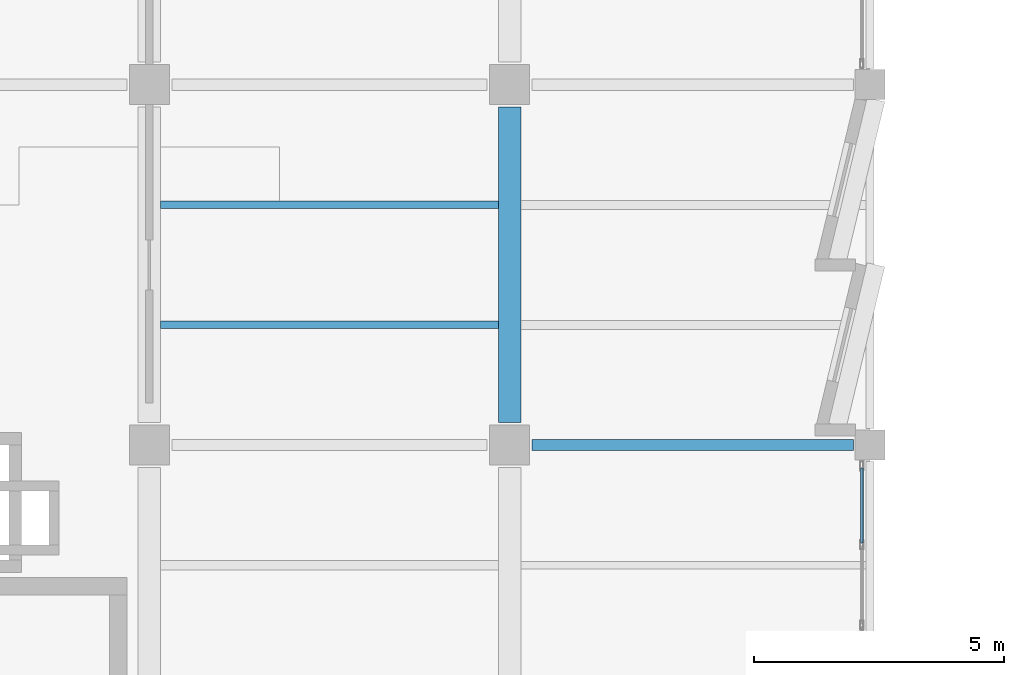
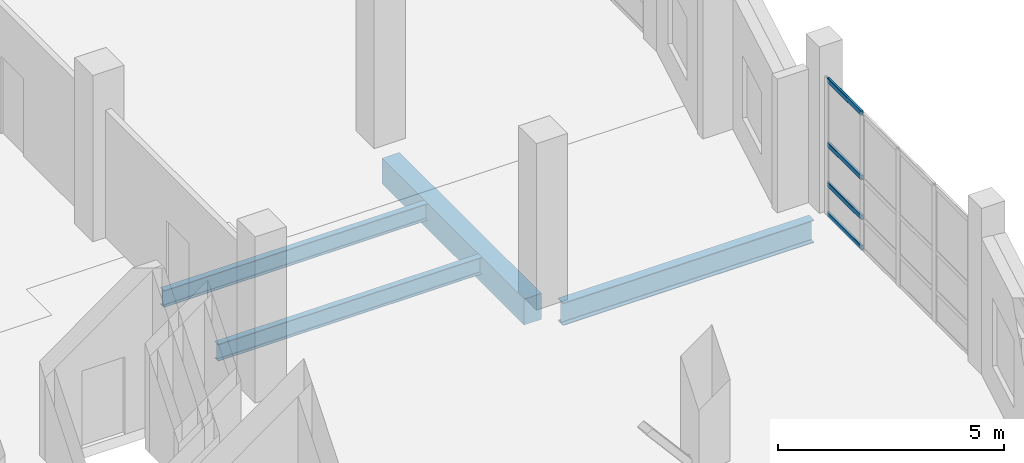
# One storey, part 33 of 123: 4 beams, 4 members, 1 element without a shape of its own.
"""IFC4 building model written with IfcOpenShell, lengths in metres."""

from ifc_helpers import new_model, si_unit, direction, frame, origin, origin_2d, place, context, subcontext, project, spatial, rectangle, hollow_rectangle, i_section, extrude, material, material_profile, profile_set, type_object, element, aggregate, save


model = new_model("IFC4")

# Units and contexts
model_context = context("Model", 3, precision=1e-05, world=origin(), true_north=direction((0.0, 1.0)))
body_context = subcontext(model_context, "Body", "Model", "MODEL_VIEW")
ifc_project = project(units=[si_unit("LENGTHUNIT", "METRE"), si_unit("AREAUNIT", "SQUARE_METRE"), si_unit("VOLUMEUNIT", "CUBIC_METRE"), si_unit("PLANEANGLEUNIT", "RADIAN"), si_unit("MASSUNIT", "GRAM", prefix="KILO")], contexts=[model_context])

# Site, building, storey
site_placement = place(None, origin())
site = spatial("IfcSite", under=ifc_project, at=site_placement, CompositionType="ELEMENT")
building_placement = place(site_placement, origin())
building = spatial("IfcBuilding", under=site, at=building_placement, Name="Kalmorath City Hall", CompositionType="ELEMENT")
storey_placement = place(building_placement, frame((0.0, 0.0, 10.199951171875)))
storey = spatial("IfcBuildingStorey", under=building, at=storey_placement, Name="L02", CompositionType="ELEMENT", Elevation=10.199951171875)

# Beam
ifc_material_1 = material(Name="Concrete C40/50", Category="concrete")
ifc_material_profile_1 = material_profile(ifc_material_1, rectangle(XDim=0.449951171875, YDim=0.699951171875, at=origin_2d()), Name="RC-BM-450X700")
ifc_profile_set_1 = profile_set([ifc_material_profile_1], Name="Concrete C40/50")
beam_type_1 = type_object("IfcBeamType", Name="Concrete floor beam 450x700", PredefinedType="BEAM", material=ifc_profile_set_1)
beam_1_placement = place(storey_placement, frame((21.60009765625, 58.050048828125, -0.634033203125), z_axis=(0.0, 1.0, 0.0), x_axis=(-1.0, 0.0, 0.0)))
element("IfcBeam", 1, at=beam_1_placement, inside=storey, type_object=beam_type_1, Name="L02 girder CB4 Y4/9-10", PredefinedType="BEAM", context=body_context, shape_type="SweptSolid", body=[
    extrude(rectangle(XDim=0.449951171875, YDim=0.699951171875, at=origin_2d()), origin(), (0.0, 0.0, 1.0), 6.300048828125),
])

# Curtain wall, members
ifc_material_2 = material(Name="Anodised aluminium and laminated glass", Category="aluminium")
curtain_wall_type = type_object("IfcCurtainWallType", Name="Unitised hurricane curtain wall 6420x3696 M1450", PredefinedType="NOTDEFINED", material=ifc_material_2)
curtain_wall_placement = place(storey_placement, origin())
curtain_wall = element("IfcCurtainWall", 2, at=curtain_wall_placement, inside=storey, type_object=curtain_wall_type, Name="L02 curtain wall CW-64X37M14 #141", PredefinedType="NOTDEFINED")
ifc_material_3 = material(Name="Anodised aluminium framing", Category="aluminium")
ifc_material_profile_2 = material_profile(ifc_material_3, hollow_rectangle(XDim=0.06005859375, YDim=0.1298828125, WallThickness=0.00341796875, InnerFilletRadius=0.00341796875, OuterFilletRadius=0.007080078125, at=origin_2d()), Name="ALU-TRN-130X60X3.5")
ifc_profile_set_2 = profile_set([ifc_material_profile_2], Name="Anodised aluminium framing")
member_type = type_object("IfcMemberType", Name="Curtain-wall courtyard transom 130x60", PredefinedType="USERDEFINED", material=ifc_profile_set_2)
member_1_placement = place(storey_placement, frame((28.639892578125, 57.14501953125, 0.030029296875), z_axis=(0.0, -1.0, 0.0), x_axis=(1.0, 0.0, 0.0)))
member_1 = element("IfcMember", 3, at=member_1_placement, type_object=member_type, Name="CW-64X37M14 transom 1.1", ObjectType="TRANSOM", PredefinedType="USERDEFINED", context=body_context, shape_type="SweptSolid", body=[
    extrude(hollow_rectangle(XDim=0.06005859375, YDim=0.1298828125, WallThickness=0.00341796875, InnerFilletRadius=0.00341796875, OuterFilletRadius=0.007080078125, at=origin_2d()), origin(), (0.0, 0.0, 1.0), 1.507568359375),
])
member_2_placement = place(storey_placement, frame((28.639892578125, 57.14501953125, 0.85009765625), z_axis=(0.0, -1.0, 0.0), x_axis=(1.0, 0.0, 0.0)))
member_2 = element("IfcMember", 4, at=member_2_placement, type_object=member_type, Name="CW-64X37M14 transom 1.2", ObjectType="TRANSOM", PredefinedType="USERDEFINED", context=body_context, shape_type="SweptSolid", body=[
    extrude(hollow_rectangle(XDim=0.06005859375, YDim=0.1298828125, WallThickness=0.00341796875, InnerFilletRadius=0.00341796875, OuterFilletRadius=0.007080078125, at=origin_2d()), origin(), (0.0, 0.0, 1.0), 1.507568359375),
])
member_3_placement = place(storey_placement, frame((28.639892578125, 57.14501953125, 1.922119140625), z_axis=(0.0, -1.0, 0.0), x_axis=(1.0, 0.0, 0.0)))
member_3 = element("IfcMember", 5, at=member_3_placement, type_object=member_type, Name="CW-64X37M14 transom 1.3", ObjectType="TRANSOM", PredefinedType="USERDEFINED", context=body_context, shape_type="SweptSolid", body=[
    extrude(hollow_rectangle(XDim=0.06005859375, YDim=0.1298828125, WallThickness=0.00341796875, InnerFilletRadius=0.00341796875, OuterFilletRadius=0.007080078125, at=origin_2d()), origin(), (0.0, 0.0, 1.0), 1.507568359375),
])
member_4_placement = place(storey_placement, frame((28.639892578125, 57.14501953125, 3.666015625), z_axis=(0.0, -1.0, 0.0), x_axis=(1.0, 0.0, 0.0)))
member_4 = element("IfcMember", 6, at=member_4_placement, type_object=member_type, Name="CW-64X37M14 transom 1.4", ObjectType="TRANSOM", PredefinedType="USERDEFINED", context=body_context, shape_type="SweptSolid", body=[
    extrude(hollow_rectangle(XDim=0.06005859375, YDim=0.1298828125, WallThickness=0.00341796875, InnerFilletRadius=0.00341796875, OuterFilletRadius=0.007080078125, at=origin_2d()), origin(), (0.0, 0.0, 1.0), 1.507568359375),
])
aggregate(curtain_wall, [member_1, member_2, member_3, member_4])

# Beams
ifc_material_4 = material(Name="Steel ASTM A992 Grade 50", Category="steel")
ifc_material_profile_3 = material_profile(ifc_material_4, i_section(OverallWidth=0.153076171875, OverallDepth=0.455078125, WebThickness=0.008056640625, FlangeThickness=0.01318359375, FilletRadius=0.013916015625, at=origin_2d()), Name="W18X40")
ifc_profile_set_3 = profile_set([ifc_material_profile_3], Name="Steel ASTM A992 Grade 50")
beam_type_2 = type_object("IfcBeamType", Name="Steel composite joist W18X40", PredefinedType="JOIST", material=ifc_profile_set_3)
for number, where, z_axis, x_axis, name in (
    (7, (14.625, 60.0, -0.511474609375), (1.0, 0.0, 0.0), (0.0, 1.0, 0.0), "L02 joist SJ4 3.9.1"),
    (8, (14.625, 62.39990234375, -0.511474609375), (1.0, 0.0, 0.0), (0.0, 1.0, 0.0), "L02 joist SJ4 3.9.2"),
):
    element("IfcBeam", number, at=place(storey_placement, frame(where, z_axis=z_axis, x_axis=x_axis)), inside=storey, type_object=beam_type_2, Name=name, PredefinedType="JOIST", context=body_context, shape_type="SweptSolid", body=[
        extrude(i_section(OverallWidth=0.153076171875, OverallDepth=0.455078125, WebThickness=0.008056640625, FlangeThickness=0.01318359375, FilletRadius=0.013916015625, at=origin_2d()), origin(), (0.0, 0.0, 1.0), 6.75),
    ])
ifc_material_5 = material(Name="Steel ASTM A992 Grade 50", Category="steel")
ifc_material_profile_4 = material_profile(ifc_material_5, i_section(OverallWidth=0.22900390625, OverallDepth=0.612060546875, WebThickness=0.011962890625, FlangeThickness=0.01953125, FilletRadius=0.01611328125, at=origin_2d()), Name="W24X84")
ifc_profile_set_4 = profile_set([ifc_material_profile_4], Name="Steel ASTM A992 Grade 50")
beam_type_3 = type_object("IfcBeamType", Name="Steel floor girder W24X84", PredefinedType="BEAM", material=ifc_profile_set_4)
beam_2_placement = place(storey_placement, frame((22.050048828125, 57.60009765625, -0.58984375), z_axis=(1.0, 0.0, 0.0), x_axis=(0.0, 1.0, 0.0)))
element("IfcBeam", 9, at=beam_2_placement, inside=storey, type_object=beam_type_3, Name="L02 girder SG8 X4-5/9", PredefinedType="BEAM", context=body_context, shape_type="SweptSolid", body=[
    extrude(i_section(OverallWidth=0.22900390625, OverallDepth=0.612060546875, WebThickness=0.011962890625, FlangeThickness=0.01953125, FilletRadius=0.01611328125, at=origin_2d()), origin(), (0.0, 0.0, 1.0), 6.425048828125),
])

save(model, "model.ifc")
